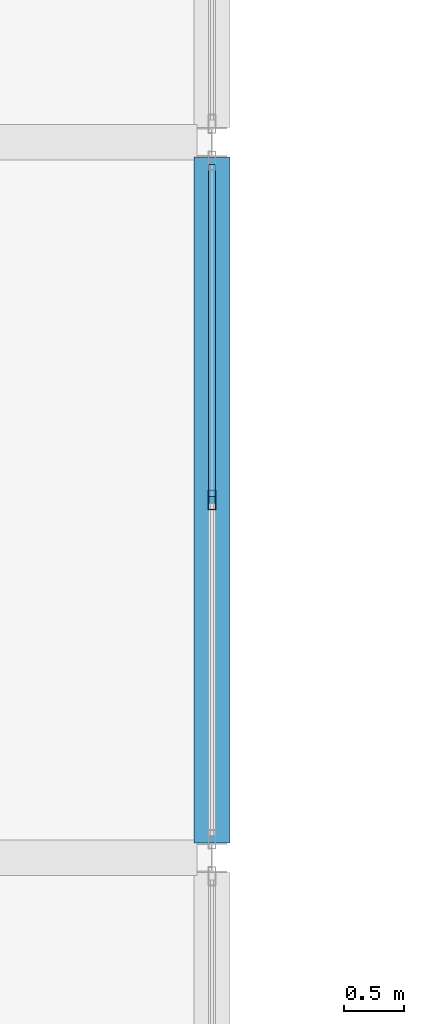
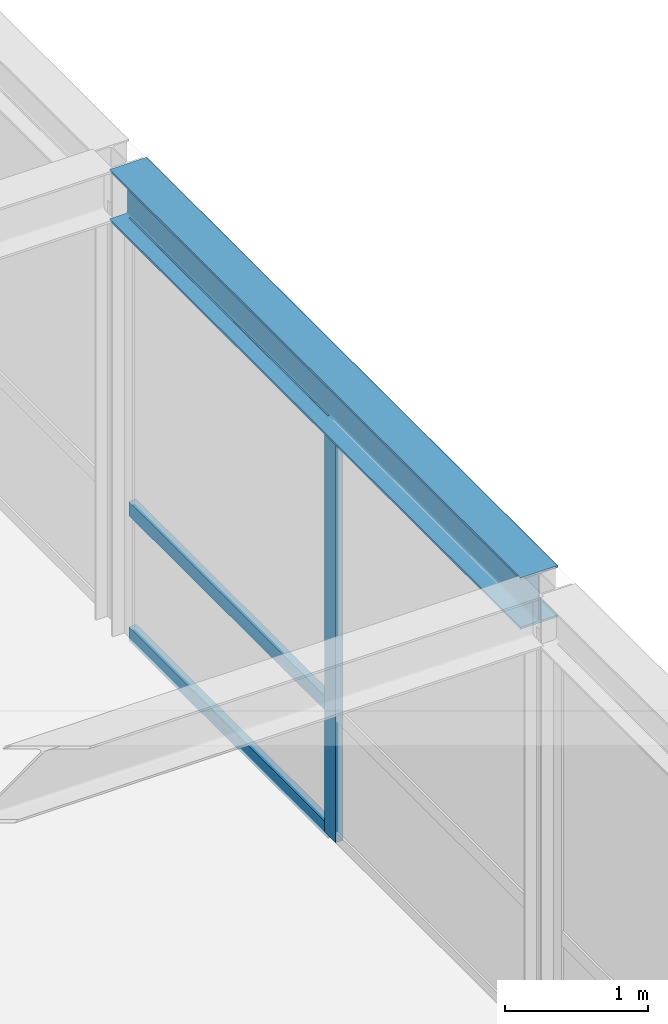
# One storey, part 43 of 111: 4 members, 1 beam, 1 element without a shape of its own.
"""IFC4 building model written with IfcOpenShell, lengths in metres."""

from ifc_helpers import new_model, si_unit, direction, frame, origin, origin_2d, place, context, subcontext, project, spatial, hollow_rectangle, i_section, extrude, material, layer, layer_set, material_profile, profile_set, type_object, element, aggregate, save


model = new_model("IFC4")

# Units and contexts
model_context = context("Model", 3, precision=1e-05, world=origin(), true_north=direction((0.0, 1.0)))
body_context = subcontext(model_context, "Body", "Model", "MODEL_VIEW")
ifc_project = project(units=[si_unit("LENGTHUNIT", "METRE"), si_unit("AREAUNIT", "SQUARE_METRE"), si_unit("VOLUMEUNIT", "CUBIC_METRE"), si_unit("PLANEANGLEUNIT", "RADIAN"), si_unit("MASSUNIT", "GRAM", prefix="KILO")], contexts=[model_context])

# Site, building, storey
site_placement = place(None, origin())
site = spatial("IfcSite", under=ifc_project, at=site_placement, CompositionType="ELEMENT")
building_placement = place(site_placement, origin())
building = spatial("IfcBuilding", under=site, at=building_placement, Name="Zlatovratsky Civic Hall", CompositionType="ELEMENT")
storey_placement = place(building_placement, frame((0.0, 0.0, 16.5)))
storey = spatial("IfcBuildingStorey", under=building, at=storey_placement, Name="L04", CompositionType="ELEMENT", Elevation=16.5)

# Beam
ifc_material_1 = material(Name="Steel S355", Category="steel")
ifc_material_profile_1 = material_profile(ifc_material_1, i_section(OverallWidth=0.300048828125, OverallDepth=0.43994140625, WebThickness=0.010986328125, FlangeThickness=0.01806640625, FilletRadius=0.02197265625, at=origin_2d()), Name="45Sh1")
ifc_profile_set_1 = profile_set([ifc_material_profile_1], Name="Steel S355")
beam_type = type_object("IfcBeamType", Name="Beam_TowerLow_45Sh1", PredefinedType="BEAM", material=ifc_profile_set_1)
beam_placement = place(storey_placement, frame((18.0, 42.125, 3.780029296875), z_axis=(0.0, 1.0, 0.0), x_axis=(-1.0, 0.0, 0.0)))
element("IfcBeam", 1, at=beam_placement, inside=storey, type_object=beam_type, Name="BM-3551", PredefinedType="BEAM", context=body_context, shape_type="SweptSolid", body=[
    extrude(i_section(OverallWidth=0.300048828125, OverallDepth=0.43994140625, WebThickness=0.010986328125, FlangeThickness=0.01806640625, FilletRadius=0.02197265625, at=origin_2d()), origin(), (0.0, 0.0, 1.0), 5.75),
])

# Curtain wall, members
ifc_material_2 = material(Name="Anodised bronze aluminium", Category="aluminium")
ifc_layer = layer(ifc_material_2, 0.159912109375)
ifc_layer_set = layer_set([ifc_layer], Name="Anodised bronze aluminium")
curtain_wall_type = type_object("IfcCurtainWallType", Name="CurtainWall_Bronze_5750x3550_18", PredefinedType="NOTDEFINED", material=ifc_layer_set)
curtain_wall_placement = place(storey_placement, origin())
curtain_wall = element("IfcCurtainWall", 2, at=curtain_wall_placement, inside=storey, type_object=curtain_wall_type, Name="CW-101", PredefinedType="NOTDEFINED")
ifc_material_profile_2 = material_profile(ifc_material_2, hollow_rectangle(XDim=0.06005859375, YDim=0.159912109375, WallThickness=0.00390625, at=origin_2d()), Name="ALU 60x160x4")
ifc_profile_set_2 = profile_set([ifc_material_profile_2], Name="Anodised bronze aluminium")
member_type_1 = type_object("IfcMemberType", Name="CW_Mullion_60x160", PredefinedType="MULLION", material=ifc_profile_set_2)
member_1_placement = place(storey_placement, frame((18.0, 45.0, 0.0), z_axis=(0.0, 0.0, 1.0), x_axis=(-1.0, 0.0, 0.0)))
member_1 = element("IfcMember", 3, at=member_1_placement, type_object=member_type_1, Name="CW-18 mullion 2", PredefinedType="MULLION", context=body_context, shape_type="SweptSolid", body=[
    extrude(hollow_rectangle(XDim=0.06005859375, YDim=0.159912109375, WallThickness=0.00390625, at=origin_2d()), origin(), (0.0, 0.0, 1.0), 3.550048828125),
])
ifc_material_profile_3 = material_profile(ifc_material_2, hollow_rectangle(XDim=0.06005859375, YDim=0.1201171875, WallThickness=0.00390625, at=origin_2d()), Name="ALU 60x120x4")
ifc_profile_set_3 = profile_set([ifc_material_profile_3], Name="Anodised bronze aluminium")
member_type_2 = type_object("IfcMemberType", Name="CW_Transom_60x120", PredefinedType="USERDEFINED", material=ifc_profile_set_3)
member_2_placement = place(storey_placement, frame((18.0, 45.030029296875, 0.030029296875), z_axis=(0.0, 1.0, 0.0), x_axis=(-1.0, 0.0, 0.0)))
member_2 = element("IfcMember", 4, at=member_2_placement, type_object=member_type_2, Name="CW-18 transom 2.1", ObjectType="TRANSOM", PredefinedType="USERDEFINED", context=body_context, shape_type="SweptSolid", body=[
    extrude(hollow_rectangle(XDim=0.06005859375, YDim=0.1201171875, WallThickness=0.00390625, at=origin_2d()), origin(), (0.0, 0.0, 1.0), 2.784912109375),
])
member_3_placement = place(storey_placement, frame((18.0, 45.030029296875, 1.10009765625), z_axis=(0.0, 1.0, 0.0), x_axis=(-1.0, 0.0, 0.0)))
member_3 = element("IfcMember", 5, at=member_3_placement, type_object=member_type_2, Name="CW-18 transom 2.2", ObjectType="TRANSOM", PredefinedType="USERDEFINED", context=body_context, shape_type="SweptSolid", body=[
    extrude(hollow_rectangle(XDim=0.06005859375, YDim=0.1201171875, WallThickness=0.00390625, at=origin_2d()), origin(), (0.0, 0.0, 1.0), 2.784912109375),
])
member_4_placement = place(storey_placement, frame((18.0, 45.030029296875, 3.52001953125), z_axis=(0.0, 1.0, 0.0), x_axis=(-1.0, 0.0, 0.0)))
member_4 = element("IfcMember", 6, at=member_4_placement, type_object=member_type_2, Name="CW-18 transom 2.3", ObjectType="TRANSOM", PredefinedType="USERDEFINED", context=body_context, shape_type="SweptSolid", body=[
    extrude(hollow_rectangle(XDim=0.06005859375, YDim=0.1201171875, WallThickness=0.00390625, at=origin_2d()), origin(), (0.0, 0.0, 1.0), 2.784912109375),
])
aggregate(curtain_wall, [member_1, member_2, member_3, member_4])

save(model, "model.ifc")
